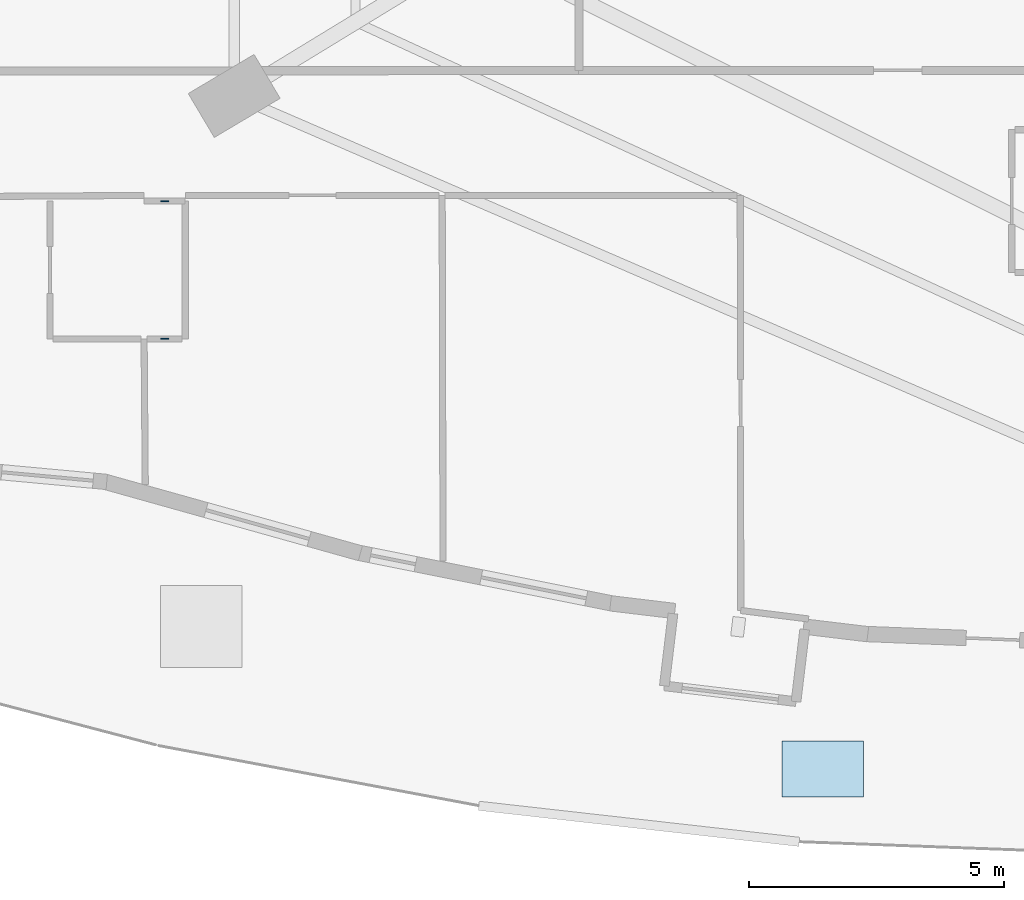
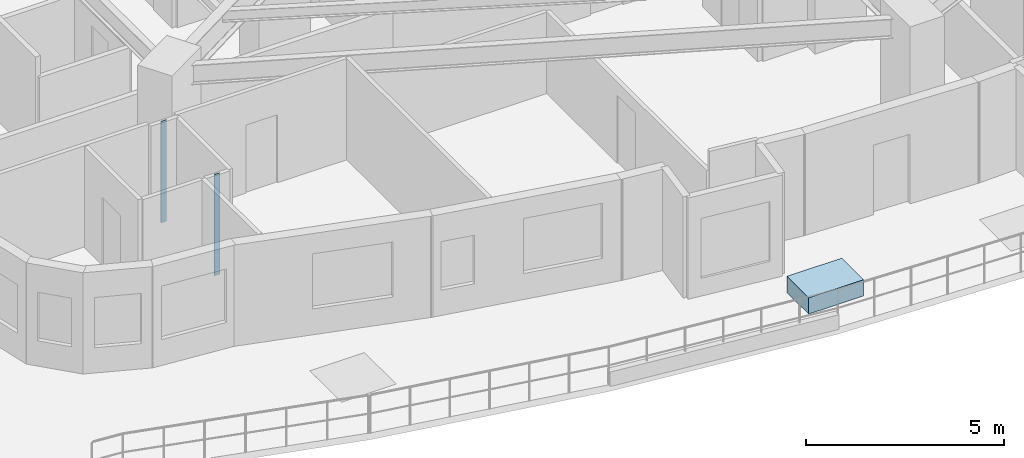
# One storey, part 2 of 17: 2 plates, 1 slab.
"""IFC4 building model written with IfcOpenShell, lengths in metres."""

from ifc_helpers import new_model, si_unit, direction, frame, origin, origin_2d, place, context, subcontext, project, spatial, polyline, rectangle, outline, extrude, material, layer, layer_set, type_object, element, save


model = new_model("IFC4")

# Units and contexts
model_context = context("Model", 3, precision=1e-05, world=origin(), true_north=direction((0.0, 1.0)))
body_context = subcontext(model_context, "Body", "Model", "MODEL_VIEW")
ifc_project = project(units=[si_unit("LENGTHUNIT", "METRE"), si_unit("AREAUNIT", "SQUARE_METRE"), si_unit("VOLUMEUNIT", "CUBIC_METRE"), si_unit("PLANEANGLEUNIT", "RADIAN"), si_unit("MASSUNIT", "GRAM", prefix="KILO")], contexts=[model_context])

# Site, building, storey
site_placement = place(None, origin())
site = spatial("IfcSite", under=ifc_project, at=site_placement, CompositionType="ELEMENT")
building_placement = place(site_placement, origin())
building = spatial("IfcBuilding", under=site, at=building_placement, Name="Miruveldt Soraemaru", CompositionType="ELEMENT")
storey_placement = place(building_placement, frame((0.0, 0.0, 29.199951171875)))
storey = spatial("IfcBuildingStorey", under=building, at=storey_placement, Name="L07", CompositionType="ELEMENT", Elevation=29.199951171875)

# Plates
ifc_material_1 = material(Name="Anodised aluminium EN AW-6063 T6", Category="aluminium")
ifc_layer_1 = layer(ifc_material_1, 0.02001953125, Name="Anodised aluminium EN AW-6063 T6", Category="aluminium")
ifc_layer_set_1 = layer_set([ifc_layer_1], Name="Anodised aluminium EN AW-6063 T6")
plate_type = type_object("IfcPlateType", Name="PLT-PART-TRIM", PredefinedType="SHEET", material=ifc_layer_set_1)
for number, where, z_axis, x_axis, name in (
    (1, (25.281005859375, 30.837890625, 0.0), (0.0, 0.0, 1.0), (-1.0, 0.0, 0.0), "L07 Partition Step Corner Trim Plate 110"),
    (2, (25.281005859375, 28.137939453125, 0.0), (0.0, 0.0, 1.0), (1.0, 0.0, 0.0), "L07 Partition Step Corner Trim Plate 091"),
):
    element("IfcPlate", number, at=place(storey_placement, frame(where, z_axis=z_axis, x_axis=x_axis)), inside=storey, type_object=plate_type, Name=name, PredefinedType="SHEET", context=body_context, shape_type="SweptSolid", body=[
        extrude(rectangle(XDim=0.159912109375, YDim=0.02001953125, at=origin_2d()), origin(), (0.0, 0.0, 1.0), 3.125),
    ])

# Slab
ifc_material_2 = material(Name="Precast concrete C45/55 (45 MPa)", Category="concrete")
ifc_layer_2 = layer(ifc_material_2, 0.179931640625, Name="Precast concrete C45/55 (45 MPa)", Category="concrete")
ifc_layer_set_2 = layer_set([ifc_layer_2], Name="Precast concrete C45/55 (45 MPa)")
slab_type = type_object("IfcSlabType", Name="SLAB-PLTR-180", PredefinedType="USERDEFINED", material=ifc_layer_set_2)
slab_placement = place(storey_placement, origin())
element("IfcSlab", 3, at=slab_placement, inside=storey, type_object=slab_type, Name="L07 Terrace Planter Bed PLANTER 2", ObjectType="PLANTER", PredefinedType="USERDEFINED", context=body_context, shape_type="SweptSolid", body=[
    extrude(outline(polyline([(37.376953125, 19.156005859375), (38.97705078125, 19.156005859375), (38.97705078125, 20.256103515625), (37.376953125, 20.256103515625), (37.376953125, 19.156005859375)])), origin(), (0.0, 0.0, 1.0), 0.5),
])

save(model, "model.ifc")
